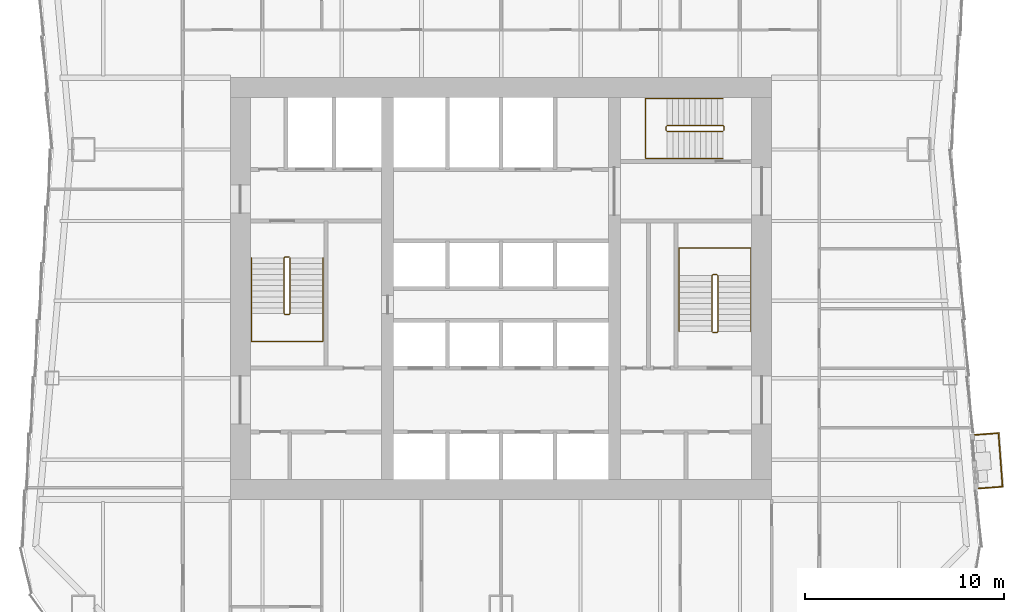
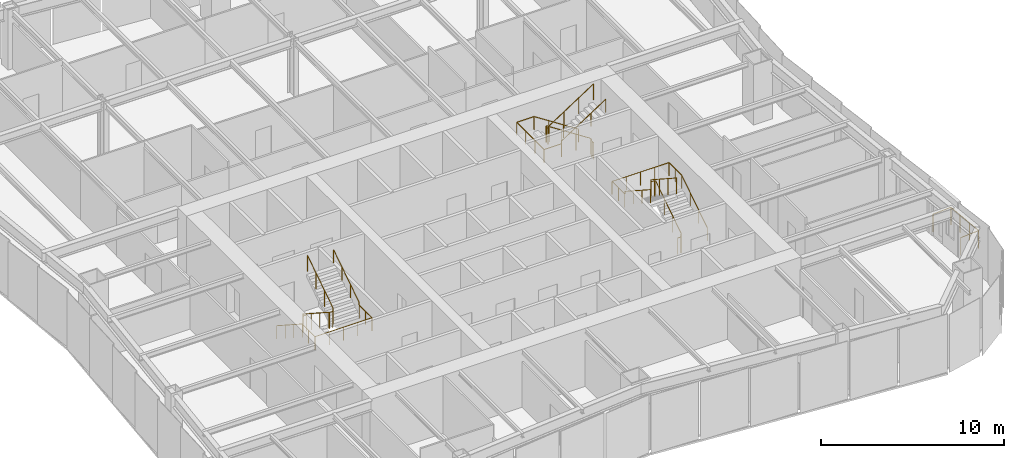
# One storey, part 8 of 9: 7 railings.
"""IFC4 building model written with IfcOpenShell, lengths in metres."""

from ifc_helpers import new_model, si_unit, direction, frame, origin, origin_2d, place, context, subcontext, project, spatial, circle, extrude, material, type_object, element, save


model = new_model("IFC4")

# Units and contexts
model_context = context("Model", 3, precision=1e-05, world=origin(), true_north=direction((0.0, 1.0)))
body_context = subcontext(model_context, "Body", "Model", "MODEL_VIEW")
ifc_project = project(units=[si_unit("LENGTHUNIT", "METRE"), si_unit("AREAUNIT", "SQUARE_METRE"), si_unit("VOLUMEUNIT", "CUBIC_METRE"), si_unit("PLANEANGLEUNIT", "RADIAN"), si_unit("MASSUNIT", "GRAM", prefix="KILO")], contexts=[model_context])

# Site, building, storey
site_placement = place(None, origin())
site = spatial("IfcSite", under=ifc_project, at=site_placement, CompositionType="ELEMENT")
building_placement = place(site_placement, origin())
building = spatial("IfcBuilding", under=site, at=building_placement, Name="Verdant Reach Tower", CompositionType="ELEMENT")
storey_placement = place(building_placement, frame((0.0, 0.0, 142.0)))
storey = spatial("IfcBuildingStorey", under=building, at=storey_placement, Name="L32", CompositionType="ELEMENT", Elevation=142.0)

# Railings
ifc_material_1 = material(Name="Stainless steel", Category="steel")
railing_type_1 = type_object("IfcRailingType", Name="CO-GUARD", PredefinedType="GUARDRAIL", material=ifc_material_1)
railing_1_placement = place(storey_placement, frame((-10.64990234375, 29.60009765625, 0.0)))
element("IfcRailing", 1, at=railing_1_placement, inside=storey, type_object=railing_type_1, Name="L32 ST-1 stair guard 1", PredefinedType="GUARDRAIL", context=body_context, shape_type="SweptSolid", body=[
    extrude(circle(Radius=0.02392578125, at=origin_2d()), frame((0.0, 0.0, 1.076171875), z_axis=(-1.0, 0.0, 0.0), x_axis=(0.0, -1.0, 0.0)), (0.0, 0.0, 1.0), 0.2001953125),
    extrude(circle(Radius=0.02392578125, at=origin_2d()), frame((-0.2001953125, 0.0, 1.076171875), z_axis=(-0.25526617399, -0.256517478764, 0.932222056972), x_axis=(0.708833529934, -0.705375805398, 0.0)), (0.0, 0.0, 1.0), 0.195068359375),
    extrude(circle(Radius=0.02392578125, at=origin_2d()), frame((-0.25, -0.050048828125, 1.2578125), z_axis=(0.0, -0.838705829183, 0.544584733623), x_axis=(1.0, 0.0, 0.0)), (0.0, 0.0, 1.0), 3.338623046875),
    extrude(circle(Radius=0.02392578125, at=origin_2d()), frame((-0.25, -2.85009765625, 3.076171875), z_axis=(0.705375805398, -0.708833529934, 0.0), x_axis=(0.708833529934, 0.705375805398, 0.0)), (0.0, 0.0, 1.0), 0.070556640625),
    extrude(circle(Radius=0.02392578125, at=origin_2d()), frame((-0.2001953125, -2.900146484375, 3.076171875), z_axis=(1.0, 0.0, 0.0), x_axis=(0.0, 1.0, 0.0)), (0.0, 0.0, 1.0), 0.2001953125),
    extrude(circle(Radius=0.02392578125, at=origin_2d()), frame((0.0, -2.900146484375, 3.076171875), z_axis=(0.25526617399, 0.256517478764, 0.932222056972), x_axis=(-0.708833529934, 0.705375805398, 0.0)), (0.0, 0.0, 1.0), 0.195068359375),
    extrude(circle(Radius=0.02392578125, at=origin_2d()), frame((0.0498046875, -2.85009765625, 3.2578125), z_axis=(0.0, 0.838705829183, 0.544584733623), x_axis=(-1.0, 0.0, 0.0)), (0.0, 0.0, 1.0), 3.338623046875),
    extrude(circle(Radius=0.02099609375, at=origin_2d()), origin(), (0.0, 0.0, 1.0), 1.052001953125),
    extrude(circle(Radius=0.02099609375, at=origin_2d()), frame((-0.2001953125, 0.0, 0.0)), (0.0, 0.0, 1.0), 1.052001953125),
    extrude(circle(Radius=0.02099609375, at=origin_2d()), frame((-0.25, -0.050048828125, 0.181884765625)), (0.0, 0.0, 1.0), 1.052001953125),
    extrude(circle(Radius=0.02099609375, at=origin_2d()), frame((-0.25, -0.9833984375, 0.787841796875)), (0.0, 0.0, 1.0), 1.052001953125),
    extrude(circle(Radius=0.02099609375, at=origin_2d()), frame((-0.25, -1.916748046875, 1.39404296875)), (0.0, 0.0, 1.0), 1.052001953125),
    extrude(circle(Radius=0.02099609375, at=origin_2d()), frame((-0.25, -2.85009765625, 2.0)), (0.0, 0.0, 1.0), 1.052001953125),
    extrude(circle(Radius=0.02099609375, at=origin_2d()), frame((-0.2001953125, -2.900146484375, 2.0)), (0.0, 0.0, 1.0), 1.052001953125),
    extrude(circle(Radius=0.02099609375, at=origin_2d()), frame((0.0, -2.900146484375, 2.0)), (0.0, 0.0, 1.0), 1.052001953125),
    extrude(circle(Radius=0.02099609375, at=origin_2d()), frame((0.0498046875, -2.85009765625, 2.181884765625)), (0.0, 0.0, 1.0), 1.052001953125),
    extrude(circle(Radius=0.02099609375, at=origin_2d()), frame((0.0498046875, -1.916748046875, 2.787841796875)), (0.0, 0.0, 1.0), 1.052001953125),
    extrude(circle(Radius=0.02099609375, at=origin_2d()), frame((0.0498046875, -0.9833984375, 3.39404296875)), (0.0, 0.0, 1.0), 1.052001953125),
    extrude(circle(Radius=0.02099609375, at=origin_2d()), frame((0.0498046875, -0.050048828125, 4.0)), (0.0, 0.0, 1.0), 1.052001953125),
])
railing_2_placement = place(storey_placement, frame((10.64990234375, 25.800048828125, 0.0)))
element("IfcRailing", 2, at=railing_2_placement, inside=storey, type_object=railing_type_1, Name="L32 ST-2 stair guard 1", PredefinedType="GUARDRAIL", context=body_context, shape_type="SweptSolid", body=[
    extrude(circle(Radius=0.02392578125, at=origin_2d()), frame((0.0, 0.0, 1.076171875), z_axis=(1.0, 0.0, 0.0), x_axis=(0.0, 1.0, 0.0)), (0.0, 0.0, 1.0), 0.2001953125),
    extrude(circle(Radius=0.02392578125, at=origin_2d()), frame((0.2001953125, 0.0, 1.076171875), z_axis=(0.25526617399, 0.256517478764, 0.932222056972), x_axis=(-0.708833529934, 0.705375805398, 0.0)), (0.0, 0.0, 1.0), 0.195068359375),
    extrude(circle(Radius=0.02392578125, at=origin_2d()), frame((0.25, 0.050048828125, 1.2578125), z_axis=(0.0, 0.83868413941, 0.544618136222), x_axis=(-1.0, 0.0, 0.0)), (0.0, 0.0, 1.0), 3.33837890625),
    extrude(circle(Radius=0.02392578125, at=origin_2d()), frame((0.25, 2.849853515625, 3.076171875), z_axis=(-0.705375805398, 0.708833529934, 0.0), x_axis=(-0.708833529934, -0.705375805398, 0.0)), (0.0, 0.0, 1.0), 0.070556640625),
    extrude(circle(Radius=0.02392578125, at=origin_2d()), frame((0.2001953125, 2.89990234375, 3.076171875), z_axis=(-1.0, 0.0, 0.0), x_axis=(0.0, -1.0, 0.0)), (0.0, 0.0, 1.0), 0.2001953125),
    extrude(circle(Radius=0.02392578125, at=origin_2d()), frame((0.0, 2.89990234375, 3.076171875), z_axis=(-0.25526617399, -0.256517478764, 0.932222056972), x_axis=(0.708833529934, -0.705375805398, 0.0)), (0.0, 0.0, 1.0), 0.195068359375),
    extrude(circle(Radius=0.02392578125, at=origin_2d()), frame((-0.0498046875, 2.849853515625, 3.2578125), z_axis=(0.0, -0.83868413941, 0.544618136222), x_axis=(1.0, 0.0, 0.0)), (0.0, 0.0, 1.0), 3.33837890625),
    extrude(circle(Radius=0.02099609375, at=origin_2d()), origin(), (0.0, 0.0, 1.0), 1.052001953125),
    extrude(circle(Radius=0.02099609375, at=origin_2d()), frame((0.2001953125, 0.0, 0.0)), (0.0, 0.0, 1.0), 1.052001953125),
    extrude(circle(Radius=0.02099609375, at=origin_2d()), frame((0.25, 0.050048828125, 0.181884765625)), (0.0, 0.0, 1.0), 1.052001953125),
    extrude(circle(Radius=0.02099609375, at=origin_2d()), frame((0.25, 0.9833984375, 0.787841796875)), (0.0, 0.0, 1.0), 1.052001953125),
    extrude(circle(Radius=0.02099609375, at=origin_2d()), frame((0.25, 1.91650390625, 1.39404296875)), (0.0, 0.0, 1.0), 1.052001953125),
    extrude(circle(Radius=0.02099609375, at=origin_2d()), frame((0.25, 2.849853515625, 2.0)), (0.0, 0.0, 1.0), 1.052001953125),
    extrude(circle(Radius=0.02099609375, at=origin_2d()), frame((0.2001953125, 2.89990234375, 2.0)), (0.0, 0.0, 1.0), 1.052001953125),
    extrude(circle(Radius=0.02099609375, at=origin_2d()), frame((0.0, 2.89990234375, 2.0)), (0.0, 0.0, 1.0), 1.052001953125),
    extrude(circle(Radius=0.02099609375, at=origin_2d()), frame((-0.0498046875, 2.849853515625, 2.181884765625)), (0.0, 0.0, 1.0), 1.052001953125),
    extrude(circle(Radius=0.02099609375, at=origin_2d()), frame((-0.0498046875, 1.91650390625, 2.787841796875)), (0.0, 0.0, 1.0), 1.052001953125),
    extrude(circle(Radius=0.02099609375, at=origin_2d()), frame((-0.0498046875, 0.9833984375, 3.39404296875)), (0.0, 0.0, 1.0), 1.052001953125),
    extrude(circle(Radius=0.02099609375, at=origin_2d()), frame((-0.0498046875, 0.050048828125, 4.0)), (0.0, 0.0, 1.0), 1.052001953125),
])
railing_3_placement = place(storey_placement, frame((11.199951171875, 35.949951171875, 0.0)))
element("IfcRailing", 3, at=railing_3_placement, inside=storey, type_object=railing_type_1, Name="L32 ST-3 stair guard 1", PredefinedType="GUARDRAIL", context=body_context, shape_type="SweptSolid", body=[
    extrude(circle(Radius=0.02392578125, at=origin_2d()), frame((0.0, 0.0, 1.076171875), z_axis=(0.0, 1.0, 0.0), x_axis=(-1.0, 0.0, 0.0)), (0.0, 0.0, 1.0), 0.199951171875),
    extrude(circle(Radius=0.02392578125, at=origin_2d()), frame((0.0, 0.199951171875, 1.076171875), z_axis=(-0.256435381639, 0.256435381639, 0.931923704005), x_axis=(-0.707106781187, -0.707106781187, 0.0)), (0.0, 0.0, 1.0), 0.195068359375),
    extrude(circle(Radius=0.02392578125, at=origin_2d()), frame((-0.050048828125, 0.25, 1.2578125), z_axis=(-0.83868413941, 0.0, 0.544618136222), x_axis=(0.0, -1.0, 0.0)), (0.0, 0.0, 1.0), 3.33837890625),
    extrude(circle(Radius=0.02392578125, at=origin_2d()), frame((-2.849853515625, 0.25, 3.076171875), z_axis=(-0.707106781187, -0.707106781187, 0.0), x_axis=(0.707106781187, -0.707106781187, 0.0)), (0.0, 0.0, 1.0), 0.07080078125),
    extrude(circle(Radius=0.02392578125, at=origin_2d()), frame((-2.89990234375, 0.199951171875, 3.076171875), z_axis=(0.0, -1.0, 0.0), x_axis=(1.0, 0.0, 0.0)), (0.0, 0.0, 1.0), 0.199951171875),
    extrude(circle(Radius=0.02392578125, at=origin_2d()), frame((-2.89990234375, 0.0, 3.076171875), z_axis=(0.256435381639, -0.256435381639, 0.931923704005), x_axis=(0.707106781187, 0.707106781187, 0.0)), (0.0, 0.0, 1.0), 0.195068359375),
    extrude(circle(Radius=0.02392578125, at=origin_2d()), frame((-2.849853515625, -0.050048828125, 3.2578125), z_axis=(0.83868413941, 0.0, 0.544618136222), x_axis=(0.0, 1.0, 0.0)), (0.0, 0.0, 1.0), 3.33837890625),
    extrude(circle(Radius=0.02099609375, at=origin_2d()), origin(), (0.0, 0.0, 1.0), 1.052001953125),
    extrude(circle(Radius=0.02099609375, at=origin_2d()), frame((0.0, 0.199951171875, 0.0)), (0.0, 0.0, 1.0), 1.052001953125),
    extrude(circle(Radius=0.02099609375, at=origin_2d()), frame((-0.050048828125, 0.25, 0.181884765625)), (0.0, 0.0, 1.0), 1.052001953125),
    extrude(circle(Radius=0.02099609375, at=origin_2d()), frame((-0.9833984375, 0.25, 0.787841796875)), (0.0, 0.0, 1.0), 1.052001953125),
    extrude(circle(Radius=0.02099609375, at=origin_2d()), frame((-1.91650390625, 0.25, 1.39404296875)), (0.0, 0.0, 1.0), 1.052001953125),
    extrude(circle(Radius=0.02099609375, at=origin_2d()), frame((-2.849853515625, 0.25, 2.0)), (0.0, 0.0, 1.0), 1.052001953125),
    extrude(circle(Radius=0.02099609375, at=origin_2d()), frame((-2.89990234375, 0.199951171875, 2.0)), (0.0, 0.0, 1.0), 1.052001953125),
    extrude(circle(Radius=0.02099609375, at=origin_2d()), frame((-2.89990234375, 0.0, 2.0)), (0.0, 0.0, 1.0), 1.052001953125),
    extrude(circle(Radius=0.02099609375, at=origin_2d()), frame((-2.849853515625, -0.050048828125, 2.181884765625)), (0.0, 0.0, 1.0), 1.052001953125),
    extrude(circle(Radius=0.02099609375, at=origin_2d()), frame((-1.91650390625, -0.050048828125, 2.787841796875)), (0.0, 0.0, 1.0), 1.052001953125),
    extrude(circle(Radius=0.02099609375, at=origin_2d()), frame((-0.9833984375, -0.050048828125, 3.39404296875)), (0.0, 0.0, 1.0), 1.052001953125),
    extrude(circle(Radius=0.02099609375, at=origin_2d()), frame((-0.050048828125, -0.050048828125, 4.0)), (0.0, 0.0, 1.0), 1.052001953125),
])
railing_type_2 = type_object("IfcRailingType", Name="CO-HANDRAIL", PredefinedType="HANDRAIL", material=ifc_material_1)
railing_4_placement = place(storey_placement, frame((-12.550048828125, 29.550048828125, 0.181884765625)))
element("IfcRailing", 4, at=railing_4_placement, inside=storey, type_object=railing_type_2, Name="L32 ST-1 stair handrail 1", PredefinedType="HANDRAIL", context=body_context, shape_type="SweptSolid", body=[
    extrude(circle(Radius=0.02392578125, at=origin_2d()), frame((0.0, 0.0, 0.8759765625), z_axis=(0.0, -0.838705829183, 0.544584733623), x_axis=(1.0, 0.0, 0.0)), (0.0, 0.0, 1.0), 3.338623046875),
    extrude(circle(Radius=0.02392578125, at=origin_2d()), frame((0.0, -2.800048828125, 2.69384765625), z_axis=(0.0, -1.0, 0.0), x_axis=(1.0, 0.0, 0.0)), (0.0, 0.0, 1.0), 1.39990234375),
    extrude(circle(Radius=0.02392578125, at=origin_2d()), frame((0.0, -4.199951171875, 2.69384765625), z_axis=(1.0, 0.0, 0.0), x_axis=(0.0, 1.0, 0.0)), (0.0, 0.0, 1.0), 3.60009765625),
    extrude(circle(Radius=0.02392578125, at=origin_2d()), frame((3.60009765625, -4.199951171875, 2.69384765625), z_axis=(0.0, 1.0, 0.0), x_axis=(-1.0, 0.0, 0.0)), (0.0, 0.0, 1.0), 1.39990234375),
    extrude(circle(Radius=0.02392578125, at=origin_2d()), frame((3.60009765625, -2.800048828125, 2.69384765625), z_axis=(0.0, 0.0, 1.0), x_axis=(1.0, 0.0, 0.0)), (0.0, 0.0, 1.0), 0.181884765625),
    extrude(circle(Radius=0.02392578125, at=origin_2d()), frame((3.60009765625, -2.800048828125, 2.8759765625), z_axis=(0.0, 0.838705829183, 0.544584733623), x_axis=(-1.0, 0.0, 0.0)), (0.0, 0.0, 1.0), 3.338623046875),
    extrude(circle(Radius=0.02099609375, at=origin_2d()), origin(), (0.0, 0.0, 1.0), 0.851806640625),
    extrude(circle(Radius=0.02099609375, at=origin_2d()), frame((0.0, -0.933349609375, 0.60595703125)), (0.0, 0.0, 1.0), 0.851806640625),
    extrude(circle(Radius=0.02099609375, at=origin_2d()), frame((0.0, -1.86669921875, 1.212158203125)), (0.0, 0.0, 1.0), 0.851806640625),
    extrude(circle(Radius=0.02099609375, at=origin_2d()), frame((0.0, -2.800048828125, 1.818115234375)), (0.0, 0.0, 1.0), 0.851806640625),
    extrude(circle(Radius=0.02099609375, at=origin_2d()), frame((0.0, -3.5, 1.818115234375)), (0.0, 0.0, 1.0), 0.851806640625),
    extrude(circle(Radius=0.02099609375, at=origin_2d()), frame((0.0, -4.199951171875, 1.818115234375)), (0.0, 0.0, 1.0), 0.851806640625),
    extrude(circle(Radius=0.02099609375, at=origin_2d()), frame((0.89990234375, -4.199951171875, 1.818115234375)), (0.0, 0.0, 1.0), 0.851806640625),
    extrude(circle(Radius=0.02099609375, at=origin_2d()), frame((1.800048828125, -4.199951171875, 1.818115234375)), (0.0, 0.0, 1.0), 0.851806640625),
    extrude(circle(Radius=0.02099609375, at=origin_2d()), frame((2.7001953125, -4.199951171875, 1.818115234375)), (0.0, 0.0, 1.0), 0.851806640625),
    extrude(circle(Radius=0.02099609375, at=origin_2d()), frame((3.60009765625, -4.199951171875, 1.818115234375)), (0.0, 0.0, 1.0), 0.851806640625),
    extrude(circle(Radius=0.02099609375, at=origin_2d()), frame((3.60009765625, -3.5, 1.818115234375)), (0.0, 0.0, 1.0), 0.851806640625),
    extrude(circle(Radius=0.02099609375, at=origin_2d()), frame((3.60009765625, -2.800048828125, 1.818115234375)), (0.0, 0.0, 1.0), 0.851806640625),
    extrude(circle(Radius=0.02099609375, at=origin_2d()), frame((3.60009765625, -2.800048828125, 2.0)), (0.0, 0.0, 1.0), 0.851806640625),
    extrude(circle(Radius=0.02099609375, at=origin_2d()), frame((3.60009765625, -1.86669921875, 2.60595703125)), (0.0, 0.0, 1.0), 0.851806640625),
    extrude(circle(Radius=0.02099609375, at=origin_2d()), frame((3.60009765625, -0.933349609375, 3.212158203125)), (0.0, 0.0, 1.0), 0.851806640625),
    extrude(circle(Radius=0.02099609375, at=origin_2d()), frame((3.60009765625, 0.0, 3.818115234375)), (0.0, 0.0, 1.0), 0.851806640625),
])
railing_5_placement = place(storey_placement, frame((12.550048828125, 25.85009765625, 0.181884765625)))
element("IfcRailing", 5, at=railing_5_placement, inside=storey, type_object=railing_type_2, Name="L32 ST-2 stair handrail 1", PredefinedType="HANDRAIL", context=body_context, shape_type="SweptSolid", body=[
    extrude(circle(Radius=0.02392578125, at=origin_2d()), frame((0.0, 0.0, 0.8759765625), z_axis=(0.0, 0.83868413941, 0.544618136222), x_axis=(-1.0, 0.0, 0.0)), (0.0, 0.0, 1.0), 3.33837890625),
    extrude(circle(Radius=0.02392578125, at=origin_2d()), frame((0.0, 2.7998046875, 2.69384765625), z_axis=(0.0, 1.0, 0.0), x_axis=(-1.0, 0.0, 0.0)), (0.0, 0.0, 1.0), 1.400146484375),
    extrude(circle(Radius=0.02392578125, at=origin_2d()), frame((0.0, 4.199951171875, 2.69384765625), z_axis=(-1.0, 0.0, 0.0), x_axis=(0.0, -1.0, 0.0)), (0.0, 0.0, 1.0), 3.60009765625),
    extrude(circle(Radius=0.02392578125, at=origin_2d()), frame((-3.60009765625, 4.199951171875, 2.69384765625), z_axis=(0.0, -1.0, 0.0), x_axis=(1.0, 0.0, 0.0)), (0.0, 0.0, 1.0), 1.400146484375),
    extrude(circle(Radius=0.02392578125, at=origin_2d()), frame((-3.60009765625, 2.7998046875, 2.69384765625), z_axis=(0.0, 0.0, 1.0), x_axis=(1.0, 0.0, 0.0)), (0.0, 0.0, 1.0), 0.181884765625),
    extrude(circle(Radius=0.02392578125, at=origin_2d()), frame((-3.60009765625, 2.7998046875, 2.8759765625), z_axis=(0.0, -0.83868413941, 0.544618136222), x_axis=(1.0, 0.0, 0.0)), (0.0, 0.0, 1.0), 3.33837890625),
    extrude(circle(Radius=0.02099609375, at=origin_2d()), origin(), (0.0, 0.0, 1.0), 0.851806640625),
    extrude(circle(Radius=0.02099609375, at=origin_2d()), frame((0.0, 0.933349609375, 0.60595703125)), (0.0, 0.0, 1.0), 0.851806640625),
    extrude(circle(Radius=0.02099609375, at=origin_2d()), frame((0.0, 1.866455078125, 1.212158203125)), (0.0, 0.0, 1.0), 0.851806640625),
    extrude(circle(Radius=0.02099609375, at=origin_2d()), frame((0.0, 2.7998046875, 1.818115234375)), (0.0, 0.0, 1.0), 0.851806640625),
    extrude(circle(Radius=0.02099609375, at=origin_2d()), frame((0.0, 3.5, 1.818115234375)), (0.0, 0.0, 1.0), 0.851806640625),
    extrude(circle(Radius=0.02099609375, at=origin_2d()), frame((0.0, 4.199951171875, 1.818115234375)), (0.0, 0.0, 1.0), 0.851806640625),
    extrude(circle(Radius=0.02099609375, at=origin_2d()), frame((-0.89990234375, 4.199951171875, 1.818115234375)), (0.0, 0.0, 1.0), 0.851806640625),
    extrude(circle(Radius=0.02099609375, at=origin_2d()), frame((-1.800048828125, 4.199951171875, 1.818115234375)), (0.0, 0.0, 1.0), 0.851806640625),
    extrude(circle(Radius=0.02099609375, at=origin_2d()), frame((-2.7001953125, 4.199951171875, 1.818115234375)), (0.0, 0.0, 1.0), 0.851806640625),
    extrude(circle(Radius=0.02099609375, at=origin_2d()), frame((-3.60009765625, 4.199951171875, 1.818115234375)), (0.0, 0.0, 1.0), 0.851806640625),
    extrude(circle(Radius=0.02099609375, at=origin_2d()), frame((-3.60009765625, 3.5, 1.818115234375)), (0.0, 0.0, 1.0), 0.851806640625),
    extrude(circle(Radius=0.02099609375, at=origin_2d()), frame((-3.60009765625, 2.7998046875, 1.818115234375)), (0.0, 0.0, 1.0), 0.851806640625),
    extrude(circle(Radius=0.02099609375, at=origin_2d()), frame((-3.60009765625, 2.7998046875, 2.0)), (0.0, 0.0, 1.0), 0.851806640625),
    extrude(circle(Radius=0.02099609375, at=origin_2d()), frame((-3.60009765625, 1.866455078125, 2.60595703125)), (0.0, 0.0, 1.0), 0.851806640625),
    extrude(circle(Radius=0.02099609375, at=origin_2d()), frame((-3.60009765625, 0.933349609375, 3.212158203125)), (0.0, 0.0, 1.0), 0.851806640625),
    extrude(circle(Radius=0.02099609375, at=origin_2d()), frame((-3.60009765625, 0.0, 3.818115234375)), (0.0, 0.0, 1.0), 0.851806640625),
])
railing_6_placement = place(storey_placement, frame((11.14990234375, 37.550048828125, 0.181884765625)))
element("IfcRailing", 6, at=railing_6_placement, inside=storey, type_object=railing_type_2, Name="L32 ST-3 stair handrail 1", PredefinedType="HANDRAIL", context=body_context, shape_type="SweptSolid", body=[
    extrude(circle(Radius=0.02392578125, at=origin_2d()), frame((0.0, 0.0, 0.8759765625), z_axis=(-0.83868413941, 0.0, 0.544618136222), x_axis=(0.0, -1.0, 0.0)), (0.0, 0.0, 1.0), 3.33837890625),
    extrude(circle(Radius=0.02392578125, at=origin_2d()), frame((-2.7998046875, 0.0, 2.69384765625), z_axis=(-1.0, 0.0, 0.0), x_axis=(0.0, -1.0, 0.0)), (0.0, 0.0, 1.0), 1.10009765625),
    extrude(circle(Radius=0.02392578125, at=origin_2d()), frame((-3.89990234375, 0.0, 2.69384765625), z_axis=(0.0, -1.0, 0.0), x_axis=(1.0, 0.0, 0.0)), (0.0, 0.0, 1.0), 3.0),
    extrude(circle(Radius=0.02392578125, at=origin_2d()), frame((-3.89990234375, -3.0, 2.69384765625), z_axis=(1.0, 0.0, 0.0), x_axis=(0.0, 1.0, 0.0)), (0.0, 0.0, 1.0), 1.10009765625),
    extrude(circle(Radius=0.02392578125, at=origin_2d()), frame((-2.7998046875, -3.0, 2.69384765625), z_axis=(0.0, 0.0, 1.0), x_axis=(1.0, 0.0, 0.0)), (0.0, 0.0, 1.0), 0.181884765625),
    extrude(circle(Radius=0.02392578125, at=origin_2d()), frame((-2.7998046875, -3.0, 2.8759765625), z_axis=(0.83868413941, 0.0, 0.544618136222), x_axis=(0.0, 1.0, 0.0)), (0.0, 0.0, 1.0), 3.33837890625),
    extrude(circle(Radius=0.02099609375, at=origin_2d()), origin(), (0.0, 0.0, 1.0), 0.851806640625),
    extrude(circle(Radius=0.02099609375, at=origin_2d()), frame((-0.933349609375, 0.0, 0.60595703125)), (0.0, 0.0, 1.0), 0.851806640625),
    extrude(circle(Radius=0.02099609375, at=origin_2d()), frame((-1.866455078125, 0.0, 1.212158203125)), (0.0, 0.0, 1.0), 0.851806640625),
    extrude(circle(Radius=0.02099609375, at=origin_2d()), frame((-2.7998046875, 0.0, 1.818115234375)), (0.0, 0.0, 1.0), 0.851806640625),
    extrude(circle(Radius=0.02099609375, at=origin_2d()), frame((-3.89990234375, 0.0, 1.818115234375)), (0.0, 0.0, 1.0), 0.851806640625),
    extrude(circle(Radius=0.02099609375, at=origin_2d()), frame((-3.89990234375, -1.0, 1.818115234375)), (0.0, 0.0, 1.0), 0.851806640625),
    extrude(circle(Radius=0.02099609375, at=origin_2d()), frame((-3.89990234375, -2.0, 1.818115234375)), (0.0, 0.0, 1.0), 0.851806640625),
    extrude(circle(Radius=0.02099609375, at=origin_2d()), frame((-3.89990234375, -3.0, 1.818115234375)), (0.0, 0.0, 1.0), 0.851806640625),
    extrude(circle(Radius=0.02099609375, at=origin_2d()), frame((-2.7998046875, -3.0, 1.818115234375)), (0.0, 0.0, 1.0), 0.851806640625),
    extrude(circle(Radius=0.02099609375, at=origin_2d()), frame((-2.7998046875, -3.0, 2.0)), (0.0, 0.0, 1.0), 0.851806640625),
    extrude(circle(Radius=0.02099609375, at=origin_2d()), frame((-1.866455078125, -3.0, 2.60595703125)), (0.0, 0.0, 1.0), 0.851806640625),
    extrude(circle(Radius=0.02099609375, at=origin_2d()), frame((-0.933349609375, -3.0, 3.212158203125)), (0.0, 0.0, 1.0), 0.851806640625),
    extrude(circle(Radius=0.02099609375, at=origin_2d()), frame((0.0, -3.0, 3.818115234375)), (0.0, 0.0, 1.0), 0.851806640625),
])
ifc_material_2 = material(Name="Stainless steel and laminated glass balustrade", Category="steel")
railing_type_3 = type_object("IfcRailingType", Name="EN-RAILING BALCONY", PredefinedType="GUARDRAIL", material=ifc_material_2)
railing_7_placement = place(storey_placement, frame((24.02099609375, 17.95703125, 0.0)))
element("IfcRailing", 7, at=railing_7_placement, inside=storey, type_object=railing_type_3, Name="Balcony guard 1, L32", PredefinedType="GUARDRAIL", context=body_context, shape_type="SweptSolid", body=[
    extrude(circle(Radius=0.02490234375, at=origin_2d()), frame((0.0, 0.0, 1.1748046875), z_axis=(0.997197776878, 0.07481038557, 0.0), x_axis=(-0.07481038557, 0.997197776878, 0.0)), (0.0, 0.0, 1.0), 1.18798828125),
    extrude(circle(Radius=0.02490234375, at=origin_2d()), frame((1.1845703125, 0.0888671875, 1.1748046875), z_axis=(-0.074747256095, 0.99720251088, 0.0), x_axis=(-0.99720251088, -0.074747256095, 0.0)), (0.0, 0.0, 1.0), 2.701171875),
    extrude(circle(Radius=0.02490234375, at=origin_2d()), frame((0.982666015625, 2.782470703125, 1.1748046875), z_axis=(-0.997198926754, -0.07479505653, 0.0), x_axis=(0.07479505653, -0.997198926754, 0.0)), (0.0, 0.0, 1.0), 1.188232421875),
    extrude(circle(Radius=0.02490234375, at=origin_2d()), origin(), (0.0, 0.0, 1.0), 1.14990234375),
    extrude(circle(Radius=0.02490234375, at=origin_2d()), frame((1.1845703125, 0.0888671875, 0.0)), (0.0, 0.0, 1.0), 1.14990234375),
    extrude(circle(Radius=0.02490234375, at=origin_2d()), frame((1.1171875, 0.98681640625, 0.0)), (0.0, 0.0, 1.0), 1.14990234375),
    extrude(circle(Radius=0.02490234375, at=origin_2d()), frame((1.050048828125, 1.884521484375, 0.0)), (0.0, 0.0, 1.0), 1.14990234375),
    extrude(circle(Radius=0.02490234375, at=origin_2d()), frame((0.982666015625, 2.782470703125, 0.0)), (0.0, 0.0, 1.0), 1.14990234375),
    extrude(circle(Radius=0.02490234375, at=origin_2d()), frame((-0.2021484375, 2.693603515625, 0.0)), (0.0, 0.0, 1.0), 1.14990234375),
])

save(model, "model.ifc")
